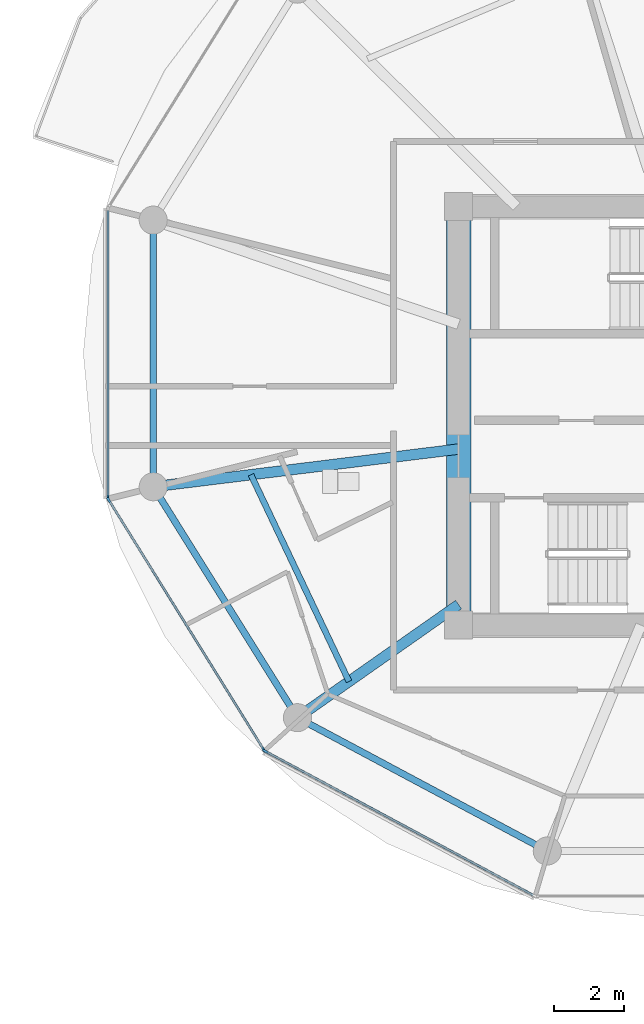
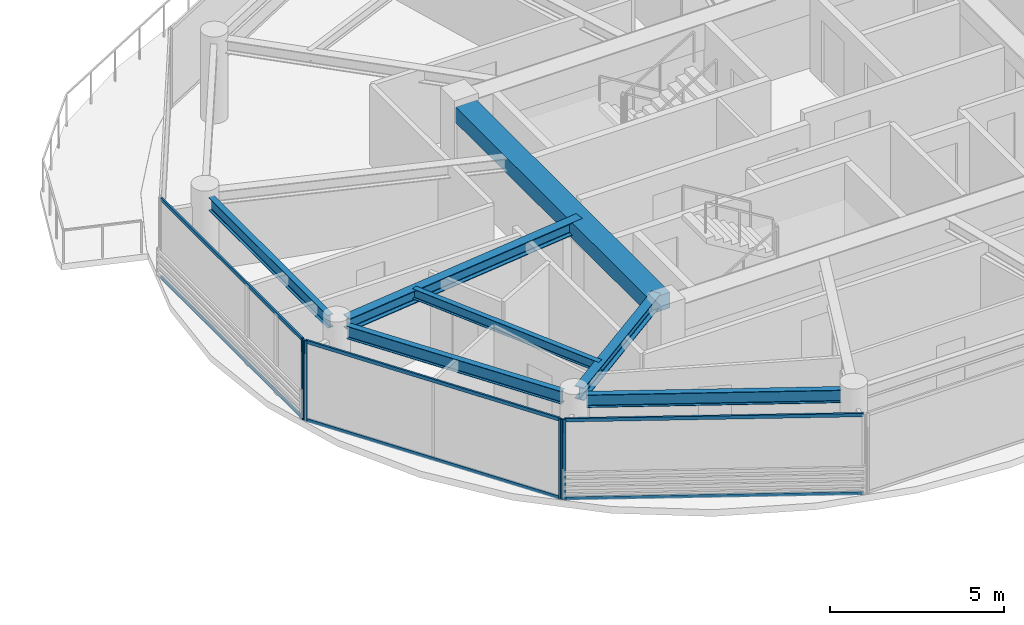
# One storey, part 6 of 23: 10 members, 7 beams, 3 elements without a shape of their own.
"""IFC4 building model written with IfcOpenShell, lengths in metres."""

from ifc_helpers import new_model, si_unit, direction, frame, origin, origin_2d, place, context, subcontext, project, spatial, rectangle, i_section, extrude, source, transform, mapped, material, layer, layer_set, material_profile, profile_set, type_object, type_shapes, element, aggregate, save


model = new_model("IFC4")

# Units and contexts
model_context = context("Model", 3, precision=1e-05, world=origin(), true_north=direction((0.0, 1.0)))
body_context = subcontext(model_context, "Body", "Model", "MODEL_VIEW")
ifc_project = project(units=[si_unit("LENGTHUNIT", "METRE"), si_unit("AREAUNIT", "SQUARE_METRE"), si_unit("VOLUMEUNIT", "CUBIC_METRE"), si_unit("PLANEANGLEUNIT", "RADIAN"), si_unit("MASSUNIT", "GRAM", prefix="KILO")], contexts=[model_context])

# Site, building, storey
site_placement = place(None, origin())
site = spatial("IfcSite", under=ifc_project, at=site_placement, CompositionType="ELEMENT")
building_placement = place(site_placement, origin())
building = spatial("IfcBuilding", under=site, at=building_placement, Name="Norrkilde Senior Care Towers", CompositionType="ELEMENT")
storey_placement = place(building_placement, frame((0.0, 0.0, 177.0)))
storey = spatial("IfcBuildingStorey", under=building, at=storey_placement, Name="L55", CompositionType="ELEMENT", Elevation=177.0)

# Beams
ifc_material_1 = material(Name="Concrete C60/75", Category="concrete")
ifc_material_profile_1 = material_profile(ifc_material_1, rectangle(XDim=0.699951171875, YDim=0.550048828125, at=origin_2d()), Name="RC BM 700x550")
ifc_profile_set_1 = profile_set([ifc_material_profile_1], Name="Concrete C60/75")
beam_type_1 = type_object("IfcBeamType", Name="Core Portal Coupling Beam 700x550", PredefinedType="USERDEFINED", material=ifc_profile_set_1)
shared_shape_1 = source(origin(), body_context, "Body", "SweptSolid", [
    extrude(rectangle(XDim=0.699951171875, YDim=0.550048828125, at=origin_2d()), origin(), (0.0, 0.0, 1.0), 11.14013671875),
])
type_shapes(beam_type_1, [shared_shape_1])
beam_1_placement = place(storey_placement, frame((20.35009765625, -5.570068359375, 2.534912109375), z_axis=(0.0, 1.0, 0.0), x_axis=(-1.0, 0.0, 0.0)))
element("IfcBeam", 1, at=beam_1_placement, inside=storey, type_object=beam_type_1, Name="L55 Core E W Coupling Girder", ObjectType="GIRDER", PredefinedType="USERDEFINED", context=body_context, shape_type="MappedRepresentation", body=[
    mapped(shared_shape_1, transform((0.0, 0.0, 0.0), x_axis=(1.0, 0.0, 0.0), y_axis=(0.0, 1.0, 0.0), z_axis=(0.0, 0.0, 1.0), scale=1.0)),
])
ifc_material_2 = material(Name="Steel S355", Category="steel")
ifc_material_profile_2 = material_profile(ifc_material_2, i_section(OverallWidth=0.18994140625, OverallDepth=0.449951171875, WebThickness=0.009521484375, FlangeThickness=0.0146484375, FilletRadius=0.02099609375, at=origin_2d()), Name="IPE 450")
ifc_profile_set_2 = profile_set([ifc_material_profile_2], Name="Steel S355")
beam_type_2 = type_object("IfcBeamType", Name="Perimeter Ring Spandrel Z3 IPE450", PredefinedType="SPANDREL", material=ifc_profile_set_2)
shared_shape_2 = source(origin(), body_context, "Body", "SweptSolid", [
    extrude(i_section(OverallWidth=0.18994140625, OverallDepth=0.449951171875, WebThickness=0.009521484375, FlangeThickness=0.0146484375, FilletRadius=0.02099609375, at=origin_2d()), origin(), (0.0, 0.0, 1.0), 6.86328125),
])
beam_2_placement = place(storey_placement, frame((11.6650390625, 5.20703125, 2.5849609375), z_axis=(0.0, -1.0, 0.0), x_axis=(1.0, 0.0, 0.0)))
element("IfcBeam", 2, at=beam_2_placement, inside=storey, type_object=beam_type_2, Name="L55 Drum E Perimeter Spandrel 06", PredefinedType="SPANDREL", context=body_context, shape_type="MappedRepresentation", body=[
    mapped(shared_shape_2, transform((0.0, 0.0, 0.0), x_axis=(1.0, 0.0, 0.0), y_axis=(0.0, 1.0, 0.0), z_axis=(0.0, 0.0, 1.0), scale=1.0)),
])
shared_shape_3 = source(origin(), body_context, "Body", "SweptSolid", [
    extrude(i_section(OverallWidth=0.18994140625, OverallDepth=0.449951171875, WebThickness=0.009521484375, FlangeThickness=0.0146484375, FilletRadius=0.02099609375, at=origin_2d()), origin(), (0.0, 0.0, 1.0), 7.023193359375),
])
beam_3_placement = place(storey_placement, frame((11.855712890625, -2.32177734375, 2.5849609375), z_axis=(0.529805197269, -0.848119362441, 0.0), x_axis=(0.848119362441, 0.529805197269, 0.0)))
element("IfcBeam", 3, at=beam_3_placement, inside=storey, type_object=beam_type_2, Name="L55 Drum E Perimeter Spandrel 07", PredefinedType="SPANDREL", context=body_context, shape_type="MappedRepresentation", body=[
    mapped(shared_shape_3, transform((0.0, 0.0, 0.0), x_axis=(1.0, 0.0, 0.0), y_axis=(0.0, 1.0, 0.0), z_axis=(0.0, 0.0, 1.0), scale=1.0)),
])
shared_shape_4 = source(origin(), body_context, "Body", "SweptSolid", [
    extrude(i_section(OverallWidth=0.18994140625, OverallDepth=0.449951171875, WebThickness=0.009521484375, FlangeThickness=0.0146484375, FilletRadius=0.02099609375, at=origin_2d()), origin(), (0.0, 0.0, 1.0), 7.333984375),
])
type_shapes(beam_type_2, [shared_shape_2, shared_shape_3, shared_shape_4])
beam_4_placement = place(storey_placement, frame((16.0849609375, -8.753173828125, 2.5849609375), z_axis=(0.882234038987, -0.470811109101, 0.0), x_axis=(0.470811109101, 0.882234038987, 0.0)))
element("IfcBeam", 4, at=beam_4_placement, inside=storey, type_object=beam_type_2, Name="L55 Drum E Perimeter Spandrel 08", PredefinedType="SPANDREL", context=body_context, shape_type="MappedRepresentation", body=[
    mapped(shared_shape_4, transform((0.0, 0.0, 0.0), x_axis=(1.0, 0.0, 0.0), y_axis=(0.0, 1.0, 0.0), z_axis=(0.0, 0.0, 1.0), scale=1.0)),
])
ifc_material_profile_3 = material_profile(ifc_material_2, i_section(OverallWidth=0.300048828125, OverallDepth=0.449951171875, WebThickness=0.013916015625, FlangeThickness=0.02587890625, FilletRadius=0.027099609375, at=origin_2d()), Name="HEB 450")
ifc_profile_set_3 = profile_set([ifc_material_profile_3], Name="Steel S355")
beam_type_3 = type_object("IfcBeamType", Name="Radial Floor Beam Z3 HEB450", PredefinedType="BEAM", material=ifc_profile_set_3)
shared_shape_5 = source(origin(), body_context, "Body", "SweptSolid", [
    extrude(i_section(OverallWidth=0.300048828125, OverallDepth=0.449951171875, WebThickness=0.013916015625, FlangeThickness=0.02587890625, FilletRadius=0.027099609375, at=origin_2d()), origin(), (0.0, 0.0, 1.0), 5.23828125),
])
beam_5_placement = place(storey_placement, frame((20.35009765625, -5.3681640625, 2.5849609375), z_axis=(-0.818592061291, -0.574375345215, 0.0), x_axis=(0.574375345215, -0.818592061291, 0.0)))
element("IfcBeam", 5, at=beam_5_placement, inside=storey, type_object=beam_type_3, Name="L55 Drum E Radial Floor Beam 08", PredefinedType="BEAM", context=body_context, shape_type="MappedRepresentation", body=[
    mapped(shared_shape_5, transform((0.0, 0.0, 0.0), x_axis=(1.0, 0.0, 0.0), y_axis=(0.0, 1.0, 0.0), z_axis=(0.0, 0.0, 1.0), scale=1.0)),
])
shared_shape_6 = source(origin(), body_context, "Body", "SweptSolid", [
    extrude(i_section(OverallWidth=0.300048828125, OverallDepth=0.449951171875, WebThickness=0.013916015625, FlangeThickness=0.02587890625, FilletRadius=0.027099609375, at=origin_2d()), origin(), (0.0, 0.0, 1.0), 8.390869140625),
])
type_shapes(beam_type_3, [shared_shape_5, shared_shape_6])
beam_6_placement = place(storey_placement, frame((20.35009765625, -0.9443359375, 2.5849609375), z_axis=(-0.99246916403, -0.122494728249, 0.0), x_axis=(0.122494728249, -0.99246916403, 0.0)))
element("IfcBeam", 6, at=beam_6_placement, inside=storey, type_object=beam_type_3, Name="L55 Drum E Radial Floor Beam 07", PredefinedType="BEAM", context=body_context, shape_type="MappedRepresentation", body=[
    mapped(shared_shape_6, transform((0.0, 0.0, 0.0), x_axis=(1.0, 0.0, 0.0), y_axis=(0.0, 1.0, 0.0), z_axis=(0.0, 0.0, 1.0), scale=1.0)),
])
ifc_material_profile_4 = material_profile(ifc_material_2, i_section(OverallWidth=0.169921875, OverallDepth=0.360107421875, WebThickness=0.008056640625, FlangeThickness=0.0126953125, FilletRadius=0.01806640625, at=origin_2d()), Name="IPE 360")
ifc_profile_set_4 = profile_set([ifc_material_profile_4], Name="Steel S355")
beam_type_4 = type_object("IfcBeamType", Name="Secondary Floor Joist IPE360", PredefinedType="JOIST", material=ifc_profile_set_4)
shared_shape_7 = source(origin(), body_context, "Body", "SweptSolid", [
    extrude(i_section(OverallWidth=0.169921875, OverallDepth=0.360107421875, WebThickness=0.008056640625, FlangeThickness=0.0126953125, FilletRadius=0.01806640625, at=origin_2d()), origin(), (0.0, 0.0, 1.0), 6.50927734375),
])
type_shapes(beam_type_4, [shared_shape_7])
beam_7_placement = place(storey_placement, frame((14.4443359375, -1.67333984375, 2.6298828125), z_axis=(0.428544169129, -0.90352083269, 0.0), x_axis=(0.90352083269, 0.428544169129, 0.0)))
element("IfcBeam", 7, at=beam_7_placement, inside=storey, type_object=beam_type_4, Name="L55 Drum E Secondary Floor Joist 3", PredefinedType="JOIST", context=body_context, shape_type="MappedRepresentation", body=[
    mapped(shared_shape_7, transform((0.0, 0.0, 0.0), x_axis=(1.0, 0.0, 0.0), y_axis=(0.0, 1.0, 0.0), z_axis=(0.0, 0.0, 1.0), scale=1.0)),
])

# Curtain wall, member
ifc_material_3 = material(Name="Triple Low-E Insulated Glazing", Category="glass")
ifc_layer = layer(ifc_material_3, 0.18994140625)
ifc_layer_set = layer_set([ifc_layer], Name="Triple Low-E Insulated Glazing")
curtain_wall_type = type_object("IfcCurtainWallType", Name="CW4 Zone 3 Senior Residence Curtain Wall", PredefinedType="NOTDEFINED", material=ifc_layer_set)
curtain_wall_1_placement = place(storey_placement, origin())
curtain_wall_1 = element("IfcCurtainWall", 8, at=curtain_wall_1_placement, inside=storey, type_object=curtain_wall_type, Name="L55 Drum E Curtain Wall 05", PredefinedType="NOTDEFINED")
ifc_material_4 = material(Name="Anodised Aluminium", Category="aluminium")
ifc_material_profile_5 = material_profile(ifc_material_4, rectangle(XDim=0.06494140625, YDim=0.14990234375, at=origin_2d()), Name="ALU MULL 65x150")
ifc_profile_set_5 = profile_set([ifc_material_profile_5], Name="Anodised Aluminium")
member_type_1 = type_object("IfcMemberType", Name="Curtain Wall Mullion Z3-Z4 65x150", PredefinedType="MULLION", material=ifc_profile_set_5)
shared_shape_8 = source(origin(), body_context, "Body", "SweptSolid", [
    extrude(rectangle(XDim=0.06494140625, YDim=0.14990234375, at=origin_2d()), origin(), (0.0, 0.0, 1.0), 2.81005859375),
])
type_shapes(member_type_1, [shared_shape_8])
member_1_placement = place(storey_placement, frame((10.38037109375, -2.328125, 0.0), z_axis=(0.0, 0.0, 1.0), x_axis=(-1.0, 0.0, 0.0)))
member_1 = element("IfcMember", 9, at=member_1_placement, type_object=member_type_1, Name="CW-4 mullion 1", PredefinedType="MULLION", context=body_context, shape_type="MappedRepresentation", body=[
    mapped(shared_shape_8, transform((0.0, 0.0, 0.0), x_axis=(1.0, 0.0, 0.0), y_axis=(0.0, 1.0, 0.0), z_axis=(0.0, 0.0, 1.0), scale=1.0)),
])

# Curtain wall, members
curtain_wall_2_placement = place(storey_placement, origin())
curtain_wall_2 = element("IfcCurtainWall", 10, at=curtain_wall_2_placement, inside=storey, type_object=curtain_wall_type, Name="L55 Drum E Curtain Wall 06", PredefinedType="NOTDEFINED")
member_2_placement = place(storey_placement, frame((14.809814453125, -9.49658203125, 0.0), z_axis=(0.0, 0.0, 1.0), x_axis=(-0.84963405474, -0.52737270789, 0.0)))
member_2 = element("IfcMember", 11, at=member_2_placement, type_object=member_type_1, Name="CW-4 mullion 1", PredefinedType="MULLION", context=body_context, shape_type="MappedRepresentation", body=[
    mapped(shared_shape_8, transform((0.0, 0.0, 0.0), x_axis=(1.0, 0.0, 0.0), y_axis=(0.0, 1.0, 0.0), z_axis=(0.0, 0.0, 1.0), scale=1.0)),
])
member_3_placement = place(storey_placement, frame((10.3974609375, -2.38818359375, 0.0), z_axis=(0.0, 0.0, 1.0), x_axis=(-0.84963405474, -0.52737270789, 0.0)))
member_3 = element("IfcMember", 12, at=member_3_placement, type_object=member_type_1, Name="CW-4 mullion 2", PredefinedType="MULLION", context=body_context, shape_type="MappedRepresentation", body=[
    mapped(shared_shape_8, transform((0.0, 0.0, 0.0), x_axis=(1.0, 0.0, 0.0), y_axis=(0.0, 1.0, 0.0), z_axis=(0.0, 0.0, 1.0), scale=1.0)),
])

# Curtain wall, member
curtain_wall_3_placement = place(storey_placement, origin())
curtain_wall_3 = element("IfcCurtainWall", 13, at=curtain_wall_3_placement, inside=storey, type_object=curtain_wall_type, Name="L55 Drum E Curtain Wall 07", PredefinedType="NOTDEFINED")
member_4_placement = place(storey_placement, frame((14.85546875, -9.53955078125, 0.0), z_axis=(0.0, 0.0, 1.0), x_axis=(-0.47311715104, -0.880999524059, 0.0)))
member_4 = element("IfcMember", 14, at=member_4_placement, type_object=member_type_1, Name="CW-4 mullion 2", PredefinedType="MULLION", context=body_context, shape_type="MappedRepresentation", body=[
    mapped(shared_shape_8, transform((0.0, 0.0, 0.0), x_axis=(1.0, 0.0, 0.0), y_axis=(0.0, 1.0, 0.0), z_axis=(0.0, 0.0, 1.0), scale=1.0)),
])

# Member
ifc_material_profile_6 = material_profile(ifc_material_4, rectangle(XDim=0.06005859375, YDim=0.1201171875, at=origin_2d()), Name="ALU TRAN 60x120")
ifc_profile_set_6 = profile_set([ifc_material_profile_6], Name="Anodised Aluminium")
member_type_2 = type_object("IfcMemberType", Name="Curtain Wall Transom Typical 60x120", PredefinedType="USERDEFINED", material=ifc_profile_set_6)
shared_shape_9 = source(origin(), body_context, "Body", "SweptSolid", [
    extrude(rectangle(XDim=0.06005859375, YDim=0.1201171875, at=origin_2d()), origin(), (0.0, 0.0, 1.0), 8.301513671875),
])
member_5_placement = place(storey_placement, frame((14.792724609375, -9.468994140625, 0.030029296875), z_axis=(-0.527368718394, 0.849636531029, 0.0), x_axis=(-0.849636531029, -0.527368718394, 0.0)))
member_5 = element("IfcMember", 15, at=member_5_placement, type_object=member_type_2, Name="CW-4 transom 1.1", ObjectType="TRANSOM", PredefinedType="USERDEFINED", context=body_context, shape_type="MappedRepresentation", body=[
    mapped(shared_shape_9, transform((0.0, 0.0, 0.0), x_axis=(1.0, 0.0, 0.0), y_axis=(0.0, 1.0, 0.0), z_axis=(0.0, 0.0, 1.0), scale=1.0)),
])

member_6_placement = place(storey_placement, frame((14.792724609375, -9.468994140625, 2.780029296875), z_axis=(-0.527368718394, 0.849636531029, 0.0), x_axis=(-0.849636531029, -0.527368718394, 0.0)))
member_6 = element("IfcMember", 16, at=member_6_placement, type_object=member_type_2, Name="CW-4 transom 1.2", ObjectType="TRANSOM", PredefinedType="USERDEFINED", context=body_context, shape_type="MappedRepresentation", body=[
    mapped(shared_shape_9, transform((0.0, 0.0, 0.0), x_axis=(1.0, 0.0, 0.0), y_axis=(0.0, 1.0, 0.0), z_axis=(0.0, 0.0, 1.0), scale=1.0)),
])

aggregate(curtain_wall_2, [member_2, member_3, member_5, member_6])

shared_shape_10 = source(origin(), body_context, "Body", "SweptSolid", [
    extrude(rectangle(XDim=0.06005859375, YDim=0.1201171875, at=origin_2d()), origin(), (0.0, 0.0, 1.0), 8.61181640625),
])
member_7_placement = place(storey_placement, frame((22.47119140625, -13.62939453125, 0.030029296875), z_axis=(-0.880993991641, 0.473127452906, 0.0), x_axis=(-0.473127452906, -0.880993991641, 0.0)))
member_7 = element("IfcMember", 17, at=member_7_placement, type_object=member_type_2, Name="CW-4 transom 1.1", ObjectType="TRANSOM", PredefinedType="USERDEFINED", context=body_context, shape_type="MappedRepresentation", body=[
    mapped(shared_shape_10, transform((0.0, 0.0, 0.0), x_axis=(1.0, 0.0, 0.0), y_axis=(0.0, 1.0, 0.0), z_axis=(0.0, 0.0, 1.0), scale=1.0)),
])

member_8_placement = place(storey_placement, frame((22.47119140625, -13.62939453125, 2.780029296875), z_axis=(-0.880993991641, 0.473127452906, 0.0), x_axis=(-0.473127452906, -0.880993991641, 0.0)))
member_8 = element("IfcMember", 18, at=member_8_placement, type_object=member_type_2, Name="CW-4 transom 1.2", ObjectType="TRANSOM", PredefinedType="USERDEFINED", context=body_context, shape_type="MappedRepresentation", body=[
    mapped(shared_shape_10, transform((0.0, 0.0, 0.0), x_axis=(1.0, 0.0, 0.0), y_axis=(0.0, 1.0, 0.0), z_axis=(0.0, 0.0, 1.0), scale=1.0)),
])

aggregate(curtain_wall_3, [member_4, member_7, member_8])

shared_shape_11 = source(origin(), body_context, "Body", "SweptSolid", [
    extrude(rectangle(XDim=0.06005859375, YDim=0.1201171875, at=origin_2d()), origin(), (0.0, 0.0, 1.0), 8.141845703125),
])
type_shapes(member_type_2, [shared_shape_9, shared_shape_10, shared_shape_11])
member_9_placement = place(storey_placement, frame((10.38037109375, -2.295654296875, 0.030029296875), z_axis=(0.0, 1.0, 0.0), x_axis=(-1.0, 0.0, 0.0)))
member_9 = element("IfcMember", 19, at=member_9_placement, type_object=member_type_2, Name="CW-4 transom 1.1", ObjectType="TRANSOM", PredefinedType="USERDEFINED", context=body_context, shape_type="MappedRepresentation", body=[
    mapped(shared_shape_11, transform((0.0, 0.0, 0.0), x_axis=(1.0, 0.0, 0.0), y_axis=(0.0, 1.0, 0.0), z_axis=(0.0, 0.0, 1.0), scale=1.0)),
])

member_10_placement = place(storey_placement, frame((10.38037109375, -2.295654296875, 2.780029296875), z_axis=(0.0, 1.0, 0.0), x_axis=(-1.0, 0.0, 0.0)))
member_10 = element("IfcMember", 20, at=member_10_placement, type_object=member_type_2, Name="CW-4 transom 1.2", ObjectType="TRANSOM", PredefinedType="USERDEFINED", context=body_context, shape_type="MappedRepresentation", body=[
    mapped(shared_shape_11, transform((0.0, 0.0, 0.0), x_axis=(1.0, 0.0, 0.0), y_axis=(0.0, 1.0, 0.0), z_axis=(0.0, 0.0, 1.0), scale=1.0)),
])

aggregate(curtain_wall_1, [member_1, member_9, member_10])

save(model, "model.ifc")
